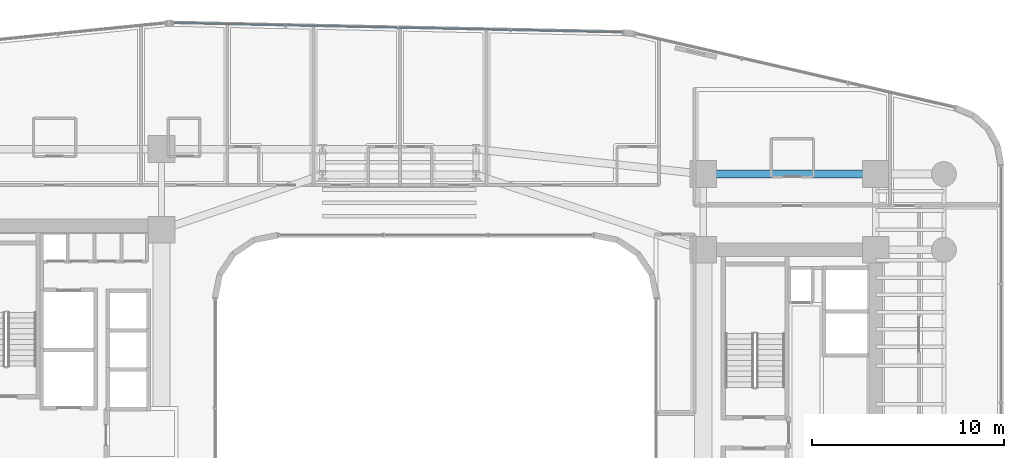
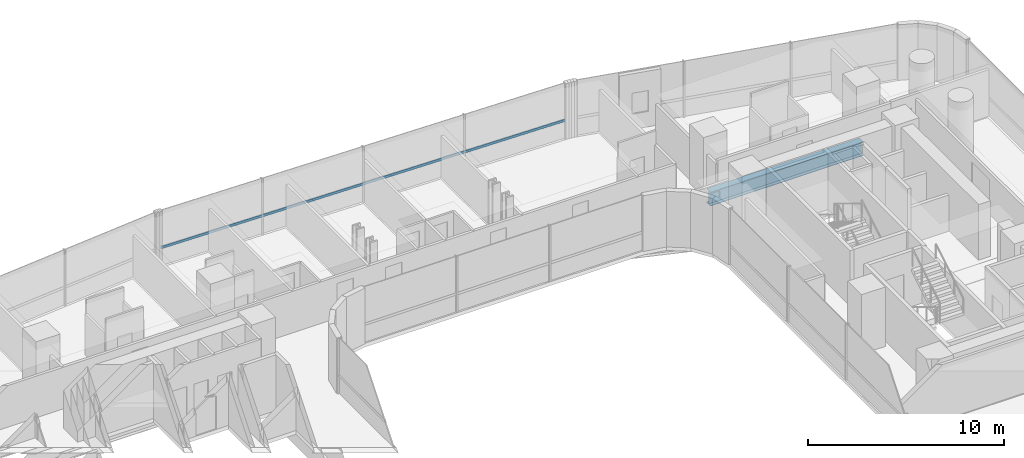
# One storey, part 23 of 40: 1 beam, 1 member, 1 element without a shape of its own.
"""IFC4 building model written with IfcOpenShell, lengths in metres."""

from ifc_helpers import new_model, si_unit, direction, frame, origin, origin_2d, place, context, subcontext, project, spatial, hollow_rectangle, i_section, extrude, source, transform, mapped, material, material_profile, profile_set, type_object, element, aggregate, save


model = new_model("IFC4")

# Units and contexts
model_context = context("Model", 3, precision=1e-05, world=origin(), true_north=direction((0.0, 1.0)))
body_context = subcontext(model_context, "Body", "Model", "MODEL_VIEW")
ifc_project = project(units=[si_unit("LENGTHUNIT", "METRE"), si_unit("AREAUNIT", "SQUARE_METRE"), si_unit("VOLUMEUNIT", "CUBIC_METRE"), si_unit("PLANEANGLEUNIT", "RADIAN"), si_unit("MASSUNIT", "GRAM", prefix="KILO")], contexts=[model_context])

# Site, building, storey
site_placement = place(None, origin())
site = spatial("IfcSite", under=ifc_project, at=site_placement, CompositionType="ELEMENT")
building_placement = place(site_placement, origin())
building = spatial("IfcBuilding", under=site, at=building_placement, Name="Valdorenza Pilgrim Sanctuary Tower", CompositionType="ELEMENT")
storey_placement = place(building_placement, frame((0.0, 0.0, 92.60009765625)))
storey = spatial("IfcBuildingStorey", under=building, at=storey_placement, Name="L23", CompositionType="ELEMENT", Elevation=92.60009765625)

# Beam
ifc_material_1 = material(Name="Steel ASTM A992 Grade 50", Category="steel")
ifc_material_profile_1 = material_profile(ifc_material_1, i_section(OverallWidth=0.39990234375, OverallDepth=0.862060546875, WebThickness=0.019775390625, FlangeThickness=0.032470703125, at=origin_2d()), Name="W33X221")
ifc_profile_set_1 = profile_set([ifc_material_profile_1], Name="Steel ASTM A992 Grade 50")
beam_type = type_object("IfcBeamType", Name="STR-BM-GRD-W33", PredefinedType="BEAM", material=ifc_profile_set_1)
shared_shape_1 = source(origin(), body_context, "Body", "SweptSolid", [
    extrude(i_section(OverallWidth=0.39990234375, OverallDepth=0.862060546875, WebThickness=0.019775390625, FlangeThickness=0.032470703125, at=origin_2d()), origin(), (0.0, 0.0, 1.0), 9.0),
])
beam_placement = place(storey_placement, frame((15.85009765625, 13.5, -0.671142578125), z_axis=(1.0, 0.0, 0.0), x_axis=(0.0, 1.0, 0.0)))
element("IfcBeam", 1, at=beam_placement, inside=storey, type_object=beam_type, Name="L23 Floor Girder CB-XC-N2", PredefinedType="BEAM", context=body_context, shape_type="MappedRepresentation", body=[
    mapped(shared_shape_1, transform((0.0, 0.0, 0.0), x_axis=(1.0, 0.0, 0.0), y_axis=(0.0, 1.0, 0.0), z_axis=(0.0, 0.0, 1.0), scale=1.0)),
])

# Curtain wall, member
ifc_material_2 = material(Name="Curtain-wall IGU glazing", Category="glass")
curtain_wall_type = type_object("IfcCurtainWallType", Name="CW-SYS-02", PredefinedType="NOTDEFINED", material=ifc_material_2)
curtain_wall_placement = place(storey_placement, origin())
curtain_wall = element("IfcCurtainWall", 2, at=curtain_wall_placement, inside=storey, type_object=curtain_wall_type, Name="L23 Curtain Wall CW-L23-1-11", PredefinedType="NOTDEFINED")
ifc_material_3 = material(Name="Anodised aluminium AW-6060", Category="aluminium")
ifc_material_profile_2 = material_profile(ifc_material_3, hollow_rectangle(XDim=0.074951171875, YDim=0.14990234375, WallThickness=0.00390625, at=origin_2d()), Name="ALU-T 150x75x4")
ifc_profile_set_2 = profile_set([ifc_material_profile_2], Name="Anodised aluminium AW-6060")
member_type = type_object("IfcMemberType", Name="CW-TRN-02", PredefinedType="USERDEFINED", material=ifc_profile_set_2)
shared_shape_2 = source(origin(), body_context, "Body", "SweptSolid", [
    extrude(hollow_rectangle(XDim=0.074951171875, YDim=0.14990234375, WallThickness=0.00390625, at=origin_2d()), origin(), (0.0, 0.0, 1.0), 23.479248046875),
])
member_placement = place(storey_placement, frame((-11.808349609375, 21.385986328125, 1.119873046875), z_axis=(0.999783083794, -0.020827514476, 0.0), x_axis=(0.020827514476, 0.999783083794, 0.0)))
member = element("IfcMember", 3, at=member_placement, type_object=member_type, Name="CW-L23-1-11 Transom 1", ObjectType="TRANSOM", PredefinedType="USERDEFINED", context=body_context, shape_type="MappedRepresentation", body=[
    mapped(shared_shape_2, transform((0.0, 0.0, 0.0), x_axis=(1.0, 0.0, 0.0), y_axis=(0.0, 1.0, 0.0), z_axis=(0.0, 0.0, 1.0), scale=1.0)),
])
aggregate(curtain_wall, [member])

save(model, "model.ifc")
